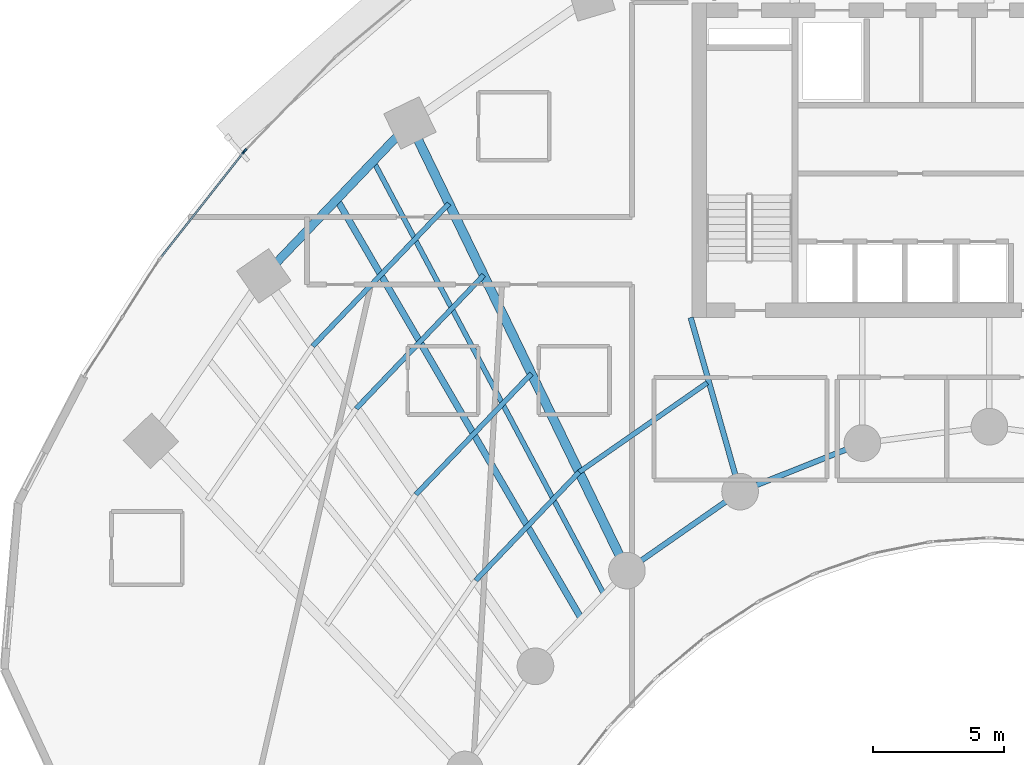
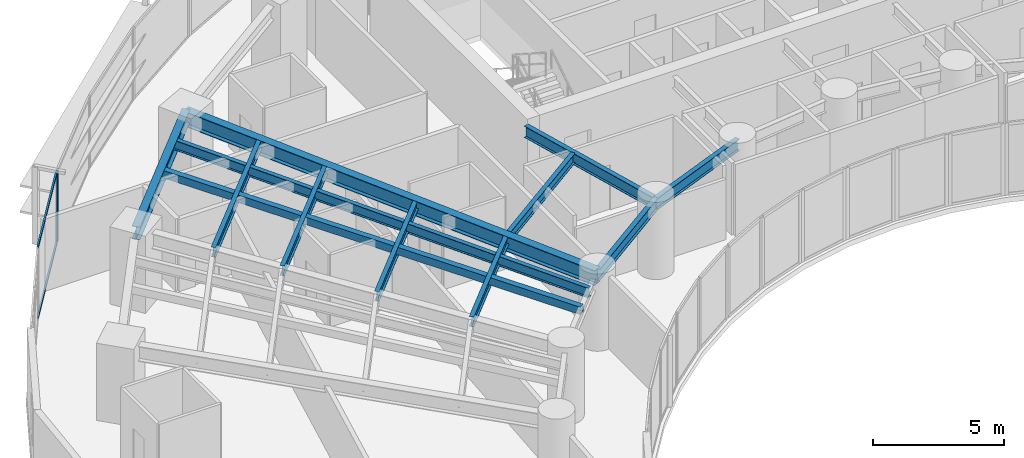
# One storey, part 3 of 17: 12 beams, 4 members, 2 elements without a shape of their own.
"""IFC4 building model written with IfcOpenShell, lengths in metres."""

from ifc_helpers import new_model, si_unit, direction, frame, origin, origin_2d, place, context, subcontext, project, spatial, rectangle, hollow_rectangle, i_section, extrude, source, transform, mapped, material, layer, layer_set, material_profile, profile_set, type_object, type_shapes, element, aggregate, save


model = new_model("IFC4")

# Units and contexts
model_context = context("Model", 3, precision=1e-05, world=origin(), true_north=direction((0.0, 1.0)))
body_context = subcontext(model_context, "Body", "Model", "MODEL_VIEW")
ifc_project = project(units=[si_unit("LENGTHUNIT", "METRE"), si_unit("AREAUNIT", "SQUARE_METRE"), si_unit("VOLUMEUNIT", "CUBIC_METRE"), si_unit("PLANEANGLEUNIT", "RADIAN"), si_unit("MASSUNIT", "GRAM", prefix="KILO")], contexts=[model_context])

# Site, building, storey
site_placement = place(None, origin())
site = spatial("IfcSite", under=ifc_project, at=site_placement, CompositionType="ELEMENT")
building_placement = place(site_placement, origin())
building = spatial("IfcBuilding", under=site, at=building_placement, Name="Breltana Convention Tower", CompositionType="ELEMENT")
storey_placement = place(building_placement, frame((0.0, 0.0, 78.60009765625)))
storey = spatial("IfcBuildingStorey", under=building, at=storey_placement, Name="L18", CompositionType="ELEMENT", Elevation=78.60009765625)

# Beams
ifc_material_1 = material(Name="Steel ASTM A992 Grade 50", Category="steel")
ifc_material_profile_1 = material_profile(ifc_material_1, i_section(OverallWidth=0.323974609375, OverallDepth=0.611083984375, WebThickness=0.0126953125, FlangeThickness=0.01904296875, at=origin_2d()), Name="W24X104")
ifc_profile_set_1 = profile_set([ifc_material_profile_1], Name="Steel ASTM A992 Grade 50")
beam_type_1 = type_object("IfcBeamType", Name="BM-SP-W24X104", PredefinedType="SPANDREL", material=ifc_profile_set_1)
shared_shape_1 = source(origin(), body_context, "Body", "SweptSolid", [
    extrude(i_section(OverallWidth=0.323974609375, OverallDepth=0.611083984375, WebThickness=0.0126953125, FlangeThickness=0.01904296875, at=origin_2d()), origin(), (0.0, 0.0, 1.0), 8.073974609375),
])
beam_1_placement = place(storey_placement, frame((20.310791015625, 61.78857421875, 3.054443359375), z_axis=(0.69072885448, 0.723113856588, 0.0), x_axis=(-0.723113856588, 0.69072885448, 0.0)))
element("IfcBeam", 1, at=beam_1_placement, inside=storey, type_object=beam_type_1, Name="L18 Outer Spandrel Beam 02", PredefinedType="SPANDREL", context=body_context, shape_type="MappedRepresentation", body=[
    mapped(shared_shape_1, transform((0.0, 0.0, 0.0), scale=1.0)),
])
ifc_material_profile_2 = material_profile(ifc_material_1, i_section(OverallWidth=0.35498046875, OverallDepth=0.696044921875, WebThickness=0.015380859375, FlangeThickness=0.02490234375, at=origin_2d()), Name="W27X146")
ifc_profile_set_2 = profile_set([ifc_material_profile_2], Name="Steel ASTM A992 Grade 50")
beam_type_2 = type_object("IfcBeamType", Name="BM-RG-W27X146", PredefinedType="USERDEFINED", material=ifc_profile_set_2)
shared_shape_2 = source(origin(), body_context, "Body", "SweptSolid", [
    extrude(i_section(OverallWidth=0.35498046875, OverallDepth=0.696044921875, WebThickness=0.015380859375, FlangeThickness=0.02490234375, at=origin_2d()), origin(), (0.0, 0.0, 1.0), 18.982421875),
])
beam_2_placement = place(storey_placement, frame((34.166259765625, 50.544921875, 3.011962890625), z_axis=(-0.436118560343, 0.89988921614, 0.0), x_axis=(-0.89988921614, -0.436118560343, 0.0)))
element("IfcBeam", 2, at=beam_2_placement, inside=storey, type_object=beam_type_2, Name="L18 Radial Floor Girder R03", ObjectType="GIRDER", PredefinedType="USERDEFINED", context=body_context, shape_type="MappedRepresentation", body=[
    mapped(shared_shape_2, transform((0.0, 0.0, 0.0), scale=1.0)),
])
ifc_material_profile_3 = material_profile(ifc_material_1, i_section(OverallWidth=0.2099609375, OverallDepth=0.537109375, WebThickness=0.010986328125, FlangeThickness=0.017333984375, at=origin_2d()), Name="W21X68")
ifc_profile_set_3 = profile_set([ifc_material_profile_3], Name="Steel ASTM A992 Grade 50")
beam_type_3 = type_object("IfcBeamType", Name="BM-BM-W21X68", PredefinedType="BEAM", material=ifc_profile_set_3)
shared_shape_3 = source(origin(), body_context, "Body", "SweptSolid", [
    extrude(i_section(OverallWidth=0.2099609375, OverallDepth=0.537109375, WebThickness=0.010986328125, FlangeThickness=0.017333984375, at=origin_2d()), origin(), (0.0, 0.0, 1.0), 6.904541015625),
])
type_shapes(beam_type_3, [shared_shape_3])
beam_3_placement = place(storey_placement, frame((36.60009765625, 60.199951171875, 3.09130859375), z_axis=(0.273006781054, -0.962012108811, 0.0), x_axis=(0.962012108811, 0.273006781054, 0.0)))
element("IfcBeam", 3, at=beam_3_placement, inside=storey, type_object=beam_type_3, Name="L18 South Core Tie Girder R04", PredefinedType="BEAM", context=body_context, shape_type="MappedRepresentation", body=[
    mapped(shared_shape_3, transform((0.0, 0.0, 0.0), scale=1.0)),
])
shared_shape_4 = source(origin(), body_context, "Body", "SweptSolid", [
    extrude(i_section(OverallWidth=0.2099609375, OverallDepth=0.537109375, WebThickness=0.010986328125, FlangeThickness=0.017333984375, at=origin_2d()), origin(), (0.0, 0.0, 1.0), 5.265869140625),
])
beam_4_placement = place(storey_placement, frame((34.166259765625, 50.544921875, 3.09130859375), z_axis=(0.820167429517, 0.572123577176, 0.0), x_axis=(-0.572123577176, 0.820167429517, 0.0)))
element("IfcBeam", 4, at=beam_4_placement, inside=storey, type_object=beam_type_3, Name="L18 Inner Ring Beam 03", PredefinedType="BEAM", context=body_context, shape_type="MappedRepresentation", body=[
    mapped(shared_shape_4, transform((0.0, 0.0, 0.0), scale=1.0)),
])
shared_shape_5 = source(origin(), body_context, "Body", "SweptSolid", [
    extrude(i_section(OverallWidth=0.2099609375, OverallDepth=0.537109375, WebThickness=0.010986328125, FlangeThickness=0.017333984375, at=origin_2d()), origin(), (0.0, 0.0, 1.0), 5.022705078125),
])
beam_5_placement = place(storey_placement, frame((38.485107421875, 53.5576171875, 3.09130859375), z_axis=(0.929458966248, 0.368925507469, 0.0), x_axis=(-0.368925507469, 0.929458966248, 0.0)))
element("IfcBeam", 5, at=beam_5_placement, inside=storey, type_object=beam_type_3, Name="L18 Inner Ring Beam 04", PredefinedType="BEAM", context=body_context, shape_type="MappedRepresentation", body=[
    mapped(shared_shape_5, transform((0.0, 0.0, 0.0), scale=1.0)),
])
ifc_material_profile_4 = material_profile(ifc_material_1, i_section(OverallWidth=0.19091796875, OverallDepth=0.4599609375, WebThickness=0.010009765625, FlangeThickness=0.01611328125, at=origin_2d()), Name="W18X55")
ifc_profile_set_4 = profile_set([ifc_material_profile_4], Name="Steel ASTM A992 Grade 50")
beam_type_4 = type_object("IfcBeamType", Name="BM-JSG-07", PredefinedType="JOIST", material=ifc_profile_set_4)
shared_shape_6 = source(origin(), body_context, "Body", "SweptSolid", [
    extrude(i_section(OverallWidth=0.19091796875, OverallDepth=0.4599609375, WebThickness=0.010009765625, FlangeThickness=0.01611328125, at=origin_2d()), origin(), (0.0, 0.0, 1.0), 5.716064453125),
])
beam_6_placement = place(storey_placement, frame((28.396484375, 50.169677734375, 3.1298828125), z_axis=(0.690756060045, 0.723087868458, 0.0), x_axis=(-0.723087868458, 0.690756060045, 0.0)))
element("IfcBeam", 6, at=beam_6_placement, inside=storey, type_object=beam_type_4, Name="L18 Composite Floor Joist 02.1", PredefinedType="JOIST", context=body_context, shape_type="MappedRepresentation", body=[
    mapped(shared_shape_6, transform((0.0, 0.0, 0.0), scale=1.0)),
])
shared_shape_7 = source(origin(), body_context, "Body", "SweptSolid", [
    extrude(i_section(OverallWidth=0.19091796875, OverallDepth=0.4599609375, WebThickness=0.010009765625, FlangeThickness=0.01611328125, at=origin_2d()), origin(), (0.0, 0.0, 1.0), 6.381103515625),
])
beam_7_placement = place(storey_placement, frame((26.115966796875, 53.44677734375, 3.1298828125), z_axis=(0.690737768889, 0.723105341309, 0.0), x_axis=(-0.723105341309, 0.690737768889, 0.0)))
element("IfcBeam", 7, at=beam_7_placement, inside=storey, type_object=beam_type_4, Name="L18 Composite Floor Joist 02.2", PredefinedType="JOIST", context=body_context, shape_type="MappedRepresentation", body=[
    mapped(shared_shape_7, transform((0.0, 0.0, 0.0), scale=1.0)),
])
shared_shape_8 = source(origin(), body_context, "Body", "SweptSolid", [
    extrude(i_section(OverallWidth=0.19091796875, OverallDepth=0.4599609375, WebThickness=0.010009765625, FlangeThickness=0.01611328125, at=origin_2d()), origin(), (0.0, 0.0, 1.0), 7.046142578125),
])
beam_8_placement = place(storey_placement, frame((23.83544921875, 56.723876953125, 3.1298828125), z_axis=(0.690722929904, 0.723119515782, 0.0), x_axis=(-0.723119515782, 0.690722929904, 0.0)))
element("IfcBeam", 8, at=beam_8_placement, inside=storey, type_object=beam_type_4, Name="L18 Composite Floor Joist 02.3", PredefinedType="JOIST", context=body_context, shape_type="MappedRepresentation", body=[
    mapped(shared_shape_8, transform((0.0, 0.0, 0.0), scale=1.0)),
])
shared_shape_9 = source(origin(), body_context, "Body", "SweptSolid", [
    extrude(i_section(OverallWidth=0.19091796875, OverallDepth=0.4599609375, WebThickness=0.010009765625, FlangeThickness=0.01611328125, at=origin_2d()), origin(), (0.0, 0.0, 1.0), 7.529541015625),
])
beam_9_placement = place(storey_placement, frame((22.1767578125, 59.107421875, 3.1298828125), z_axis=(0.690725562031, 0.723117001568, 0.0), x_axis=(-0.723117001568, 0.690725562031, 0.0)))
element("IfcBeam", 9, at=beam_9_placement, inside=storey, type_object=beam_type_4, Name="L18 Composite Floor Joist 02.4", PredefinedType="JOIST", context=body_context, shape_type="MappedRepresentation", body=[
    mapped(shared_shape_9, transform((0.0, 0.0, 0.0), scale=1.0)),
])
ifc_material_profile_5 = material_profile(ifc_material_1, hollow_rectangle(XDim=0.25, YDim=0.35009765625, WallThickness=0.011962890625, at=origin_2d()), Name="RHS350X250X12")
ifc_profile_set_5 = profile_set([ifc_material_profile_5], Name="Steel ASTM A992 Grade 50")
beam_type_5 = type_object("IfcBeamType", Name="BM-JSG-12", PredefinedType="JOIST", material=ifc_profile_set_5)
shared_shape_10 = source(origin(), body_context, "Body", "SweptSolid", [
    extrude(hollow_rectangle(XDim=0.25, YDim=0.35009765625, WallThickness=0.011962890625, at=origin_2d()), origin(), (0.0, 0.0, 1.0), 18.50830078125),
])
beam_10_placement = place(storey_placement, frame((32.421630859375, 48.71875, 3.184814453125), z_axis=(-0.50368319637, 0.863888440537, 0.0), x_axis=(-0.863888440537, -0.50368319637, 0.0)))
element("IfcBeam", 10, at=beam_10_placement, inside=storey, type_object=beam_type_5, Name="L18 Mid-Bay Radial Trimmer 02", PredefinedType="JOIST", context=body_context, shape_type="MappedRepresentation", body=[
    mapped(shared_shape_10, transform((0.0, 0.0, 0.0), scale=1.0)),
])
shared_shape_11 = source(origin(), body_context, "Body", "SweptSolid", [
    extrude(i_section(OverallWidth=0.19091796875, OverallDepth=0.4599609375, WebThickness=0.010009765625, FlangeThickness=0.01611328125, at=origin_2d()), origin(), (0.0, 0.0, 1.0), 18.731689453125),
])
beam_11_placement = place(storey_placement, frame((33.2939453125, 49.6318359375, 3.1298828125), z_axis=(-0.469820250451, 0.882762104004, 0.0), x_axis=(-0.882762104004, -0.469820250451, 0.0)))
element("IfcBeam", 11, at=beam_11_placement, inside=storey, type_object=beam_type_4, Name="L18 Quarter-Bay Radial Trimmer 02", PredefinedType="JOIST", context=body_context, shape_type="MappedRepresentation", body=[
    mapped(shared_shape_11, transform((0.0, 0.0, 0.0), scale=1.0)),
])
shared_shape_12 = source(origin(), body_context, "Body", "SweptSolid", [
    extrude(i_section(OverallWidth=0.19091796875, OverallDepth=0.4599609375, WebThickness=0.010009765625, FlangeThickness=0.01611328125, at=origin_2d()), origin(), (0.0, 0.0, 1.0), 5.959228515625),
])
beam_12_placement = place(storey_placement, frame((32.344970703125, 54.302978515625, 3.1298828125), z_axis=(0.820160485262, 0.572133531979, 0.0), x_axis=(-0.572133531979, 0.820160485262, 0.0)))
element("IfcBeam", 12, at=beam_12_placement, inside=storey, type_object=beam_type_4, Name="L18 Composite Floor Joist 03.1", PredefinedType="JOIST", context=body_context, shape_type="MappedRepresentation", body=[
    mapped(shared_shape_12, transform((0.0, 0.0, 0.0), scale=1.0)),
])

# Curtain wall, members
ifc_material_2 = material(Name="Aluminium Anodised Bronze Frame", Category="aluminium")
ifc_layer = layer(ifc_material_2, 0.199951171875, Name="Aluminium Anodised Bronze Frame")
ifc_layer_set = layer_set([ifc_layer], Name="Aluminium Anodised Bronze Frame")
curtain_wall_type = type_object("IfcCurtainWallType", Name="CW-SYS-2", PredefinedType="NOTDEFINED", material=ifc_layer_set)
curtain_wall_1_placement = place(storey_placement, origin())
curtain_wall_1 = element("IfcCurtainWall", 13, at=curtain_wall_1_placement, inside=storey, type_object=curtain_wall_type, Name="L18 outer double-skin inner glazing 2", PredefinedType="NOTDEFINED")
ifc_material_3 = material(Name="Aluminium Anodised Bronze", Category="aluminium")
ifc_material_profile_6 = material_profile(ifc_material_3, rectangle(XDim=0.070068359375, YDim=0.1201171875, at=origin_2d()), Name="CWT-70X120")
ifc_profile_set_6 = profile_set([ifc_material_profile_6], Name="Aluminium Anodised Bronze")
member_type_1 = type_object("IfcMemberType", Name="CWT-120", PredefinedType="USERDEFINED", material=ifc_profile_set_6)
shared_shape_13 = source(origin(), body_context, "Body", "SweptSolid", [
    extrude(rectangle(XDim=0.070068359375, YDim=0.1201171875, at=origin_2d()), origin(), (0.0, 0.0, 1.0), 5.0546875),
])
member_1_placement = place(storey_placement, frame((16.39892578125, 62.51806640625, 0.034912109375), z_axis=(0.618135067667, 0.786071903913, 0.0), x_axis=(-0.786071903913, 0.618135067667, 0.0)))
member_1 = element("IfcMember", 14, at=member_1_placement, type_object=member_type_1, Name="CW-02 transom 1.1", ObjectType="TRANSOM", PredefinedType="USERDEFINED", context=body_context, shape_type="MappedRepresentation", body=[
    mapped(shared_shape_13, transform((0.0, 0.0, 0.0), scale=1.0)),
])
member_2_placement = place(storey_placement, frame((16.39892578125, 62.51806640625, 3.324951171875), z_axis=(0.618135067667, 0.786071903913, 0.0), x_axis=(-0.786071903913, 0.618135067667, 0.0)))
member_2 = element("IfcMember", 15, at=member_2_placement, type_object=member_type_1, Name="CW-02 transom 1.2", ObjectType="TRANSOM", PredefinedType="USERDEFINED", context=body_context, shape_type="MappedRepresentation", body=[
    mapped(shared_shape_13, transform((0.0, 0.0, 0.0), scale=1.0)),
])
ifc_material_profile_7 = material_profile(ifc_material_3, rectangle(XDim=0.070068359375, YDim=0.175048828125, at=origin_2d()), Name="CWM-70X175")
ifc_profile_set_7 = profile_set([ifc_material_profile_7], Name="Aluminium Anodised Bronze")
member_type_2 = type_object("IfcMemberType", Name="CWM-175", PredefinedType="MULLION", material=ifc_profile_set_7)
shared_shape_14 = source(origin(), body_context, "Body", "SweptSolid", [
    extrude(rectangle(XDim=0.070068359375, YDim=0.175048828125, at=origin_2d()), origin(), (0.0, 0.0, 1.0), 3.35986328125),
])
member_3_placement = place(storey_placement, frame((19.545166015625, 66.518798828125, 0.0), z_axis=(0.0, 0.0, 1.0), x_axis=(-0.786057080698, 0.618153917633, 0.0)))
member_3 = element("IfcMember", 16, at=member_3_placement, type_object=member_type_2, Name="CW-02 mullion 2", PredefinedType="MULLION", context=body_context, shape_type="MappedRepresentation", body=[
    mapped(shared_shape_14, transform((0.0, 0.0, 0.0), scale=1.0)),
])
aggregate(curtain_wall_1, [member_3, member_1, member_2])

# Curtain wall, member
curtain_wall_2_placement = place(storey_placement, origin())
curtain_wall_2 = element("IfcCurtainWall", 17, at=curtain_wall_2_placement, inside=storey, type_object=curtain_wall_type, Name="L18 outer double-skin inner glazing 3", PredefinedType="NOTDEFINED")
member_4_placement = place(storey_placement, frame((19.591064453125, 66.571533203125, 0.0), z_axis=(0.0, 0.0, 1.0), x_axis=(-0.719386421003, 0.694610090106, 0.0)))
member_4 = element("IfcMember", 18, at=member_4_placement, type_object=member_type_2, Name="CW-02 mullion 1", PredefinedType="MULLION", context=body_context, shape_type="MappedRepresentation", body=[
    mapped(shared_shape_14, transform((0.0, 0.0, 0.0), scale=1.0)),
])
aggregate(curtain_wall_2, [member_4])

save(model, "model.ifc")
